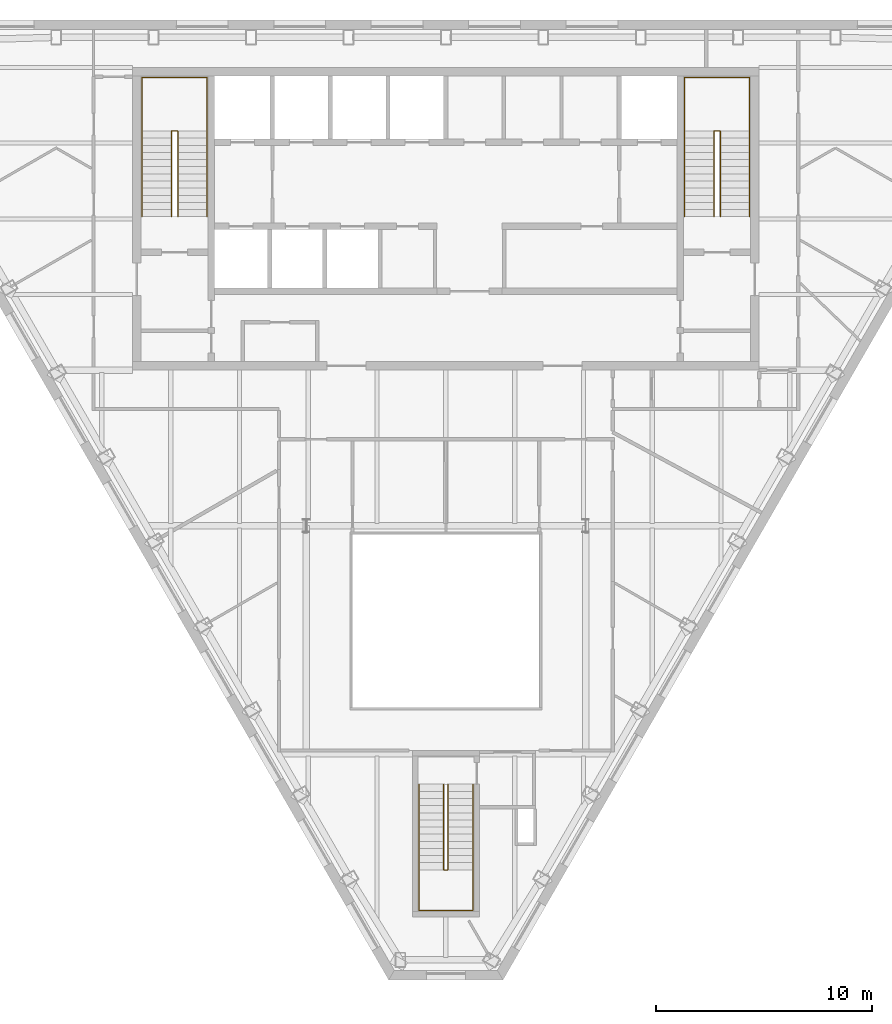
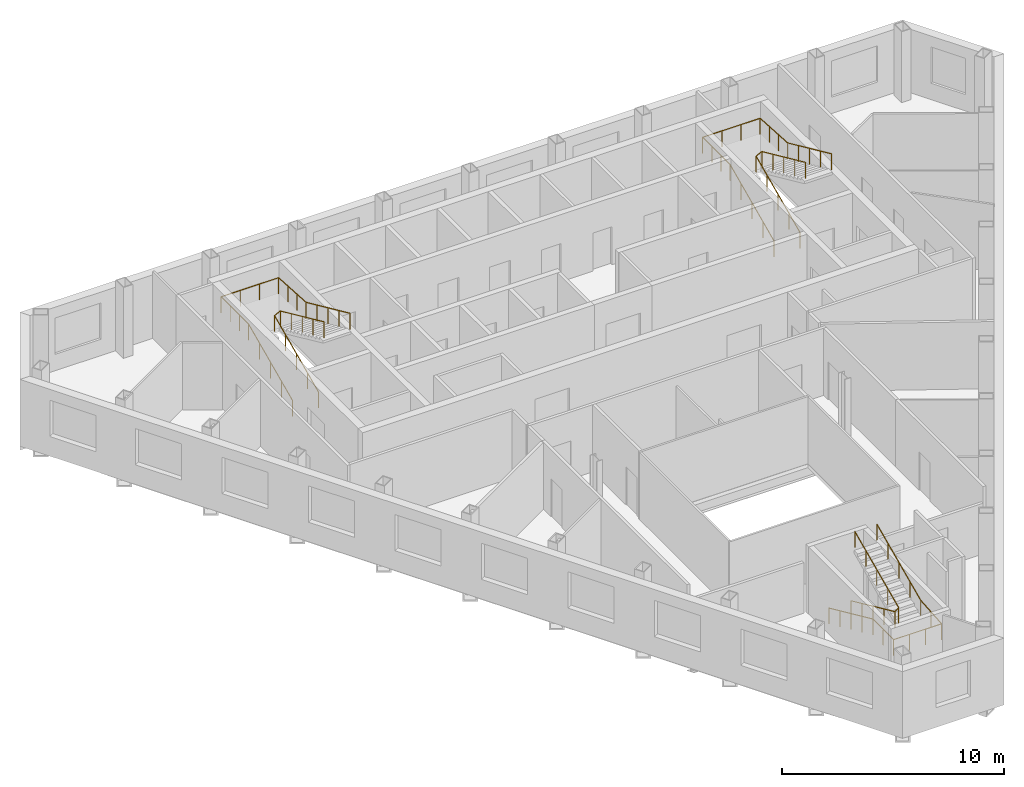
# One storey, part 10 of 10: 6 railings.
"""IFC4 building model written with IfcOpenShell, lengths in metres."""

from ifc_helpers import new_model, si_unit, direction, frame, origin, origin_2d, place, context, subcontext, project, spatial, circle, extrude, material, type_object, element, save


model = new_model("IFC4")

# Units and contexts
model_context = context("Model", 3, precision=1e-05, world=origin(), true_north=direction((0.0, 1.0)))
body_context = subcontext(model_context, "Body", "Model", "MODEL_VIEW")
ifc_project = project(units=[si_unit("LENGTHUNIT", "METRE"), si_unit("AREAUNIT", "SQUARE_METRE"), si_unit("VOLUMEUNIT", "CUBIC_METRE"), si_unit("PLANEANGLEUNIT", "RADIAN"), si_unit("MASSUNIT", "GRAM", prefix="KILO")], contexts=[model_context])

# Site, building, storey
site_placement = place(None, origin())
site = spatial("IfcSite", under=ifc_project, at=site_placement, CompositionType="ELEMENT")
building_placement = place(site_placement, origin())
building = spatial("IfcBuilding", under=site, at=building_placement, Name="Njiva Tower", CompositionType="ELEMENT")
storey_placement = place(building_placement, frame((0.0, 0.0, 280.5)))
storey = spatial("IfcBuildingStorey", under=building, at=storey_placement, Name="L64", CompositionType="ELEMENT", Elevation=280.5)

# Railings
ifc_material = material(Name="Stainless steel", Category="steel")
railing_type = type_object("IfcRailingType", Name="RL1 Stair handrail 900", PredefinedType="HANDRAIL", material=ifc_material)
railing_1_placement = place(storey_placement, frame((-14.05, 11.1, 0.15)))
element("IfcRailing", 1, at=railing_1_placement, inside=storey, type_object=railing_type, Name="Stair A handrail", PredefinedType="HANDRAIL", context=body_context, shape_type="SweptSolid", body=[
    extrude(circle(Radius=0.024, at=origin_2d()), frame((0.0, 0.0, 0.876), z_axis=(0.0, 0.910366477463, 0.413802944301), x_axis=(-1.0, 0.0, 0.0)), (0.0, 0.0, 1.0), 4.3499),
    extrude(circle(Radius=0.024, at=origin_2d()), frame((0.0, 3.96, 2.676), z_axis=(0.0, 1.0, 0.0), x_axis=(-1.0, 0.0, 0.0)), (0.0, 0.0, 1.0), 2.49),
    extrude(circle(Radius=0.024, at=origin_2d()), frame((0.0, 6.45, 2.676), z_axis=(1.0, 0.0, 0.0), x_axis=(0.0, 1.0, 0.0)), (0.0, 0.0, 1.0), 3.0),
    extrude(circle(Radius=0.024, at=origin_2d()), frame((3.0, 6.45, 2.676), z_axis=(0.0, -0.998190436793, 0.060131954024), x_axis=(1.0, 0.0, 0.0)), (0.0, 0.0, 1.0), 2.4945),
    extrude(circle(Radius=0.024, at=origin_2d()), frame((3.0, 3.96, 2.826), z_axis=(0.0, -0.910366477463, 0.413802944301), x_axis=(1.0, 0.0, 0.0)), (0.0, 0.0, 1.0), 4.3499),
    extrude(circle(Radius=0.021, at=origin_2d()), origin(), (0.0, 0.0, 1.0), 0.852),
    extrude(circle(Radius=0.021, at=origin_2d()), frame((0.0, 0.99, 0.45)), (0.0, 0.0, 1.0), 0.852),
    extrude(circle(Radius=0.021, at=origin_2d()), frame((0.0, 1.98, 0.9)), (0.0, 0.0, 1.0), 0.852),
    extrude(circle(Radius=0.021, at=origin_2d()), frame((0.0, 2.97, 1.35)), (0.0, 0.0, 1.0), 0.852),
    extrude(circle(Radius=0.021, at=origin_2d()), frame((0.0, 3.96, 1.8)), (0.0, 0.0, 1.0), 0.852),
    extrude(circle(Radius=0.021, at=origin_2d()), frame((0.0, 4.79, 1.8)), (0.0, 0.0, 1.0), 0.852),
    extrude(circle(Radius=0.021, at=origin_2d()), frame((0.0, 5.62, 1.8)), (0.0, 0.0, 1.0), 0.852),
    extrude(circle(Radius=0.021, at=origin_2d()), frame((0.0, 6.45, 1.8)), (0.0, 0.0, 1.0), 0.852),
    extrude(circle(Radius=0.021, at=origin_2d()), frame((1.0, 6.45, 1.8)), (0.0, 0.0, 1.0), 0.852),
    extrude(circle(Radius=0.021, at=origin_2d()), frame((2.0, 6.45, 1.8)), (0.0, 0.0, 1.0), 0.852),
    extrude(circle(Radius=0.021, at=origin_2d()), frame((3.0, 6.45, 1.8)), (0.0, 0.0, 1.0), 0.852),
    extrude(circle(Radius=0.021, at=origin_2d()), frame((3.0, 5.62, 1.85)), (0.0, 0.0, 1.0), 0.852),
    extrude(circle(Radius=0.021, at=origin_2d()), frame((3.0, 4.79, 1.9)), (0.0, 0.0, 1.0), 0.852),
    extrude(circle(Radius=0.021, at=origin_2d()), frame((3.0, 3.96, 1.95)), (0.0, 0.0, 1.0), 0.852),
    extrude(circle(Radius=0.021, at=origin_2d()), frame((3.0, 2.97, 2.4)), (0.0, 0.0, 1.0), 0.852),
    extrude(circle(Radius=0.021, at=origin_2d()), frame((3.0, 1.98, 2.85)), (0.0, 0.0, 1.0), 0.852),
    extrude(circle(Radius=0.021, at=origin_2d()), frame((3.0, 0.99, 3.3)), (0.0, 0.0, 1.0), 0.852),
    extrude(circle(Radius=0.021, at=origin_2d()), frame((3.0, 0.0, 3.75)), (0.0, 0.0, 1.0), 0.852),
])
railing_2_placement = place(storey_placement, frame((-12.7, 11.1, 0.15)))
element("IfcRailing", 2, at=railing_2_placement, inside=storey, type_object=railing_type, Name="Stair A handrail", PredefinedType="HANDRAIL", context=body_context, shape_type="SweptSolid", body=[
    extrude(circle(Radius=0.024, at=origin_2d()), frame((0.0, 0.0, 0.876), z_axis=(0.0, 0.910366477463, 0.413802944301), x_axis=(-1.0, 0.0, 0.0)), (0.0, 0.0, 1.0), 4.3499),
    extrude(circle(Radius=0.024, at=origin_2d()), frame((0.0, 3.96, 2.676), z_axis=(0.894427191, 0.0, 0.4472135955), x_axis=(0.0, 1.0, 0.0)), (0.0, 0.0, 1.0), 0.3354),
    extrude(circle(Radius=0.024, at=origin_2d()), frame((0.3, 3.96, 2.826), z_axis=(0.0, -0.910366477463, 0.413802944301), x_axis=(1.0, 0.0, 0.0)), (0.0, 0.0, 1.0), 4.3499),
    extrude(circle(Radius=0.021, at=origin_2d()), origin(), (0.0, 0.0, 1.0), 0.852),
    extrude(circle(Radius=0.021, at=origin_2d()), frame((0.0, 0.99, 0.45)), (0.0, 0.0, 1.0), 0.852),
    extrude(circle(Radius=0.021, at=origin_2d()), frame((0.0, 1.98, 0.9)), (0.0, 0.0, 1.0), 0.852),
    extrude(circle(Radius=0.021, at=origin_2d()), frame((0.0, 2.97, 1.35)), (0.0, 0.0, 1.0), 0.852),
    extrude(circle(Radius=0.021, at=origin_2d()), frame((0.0, 3.96, 1.8)), (0.0, 0.0, 1.0), 0.852),
    extrude(circle(Radius=0.021, at=origin_2d()), frame((0.3, 3.96, 1.95)), (0.0, 0.0, 1.0), 0.852),
    extrude(circle(Radius=0.021, at=origin_2d()), frame((0.3, 2.97, 2.4)), (0.0, 0.0, 1.0), 0.852),
    extrude(circle(Radius=0.021, at=origin_2d()), frame((0.3, 1.98, 2.85)), (0.0, 0.0, 1.0), 0.852),
    extrude(circle(Radius=0.021, at=origin_2d()), frame((0.3, 0.99, 3.3)), (0.0, 0.0, 1.0), 0.852),
    extrude(circle(Radius=0.021, at=origin_2d()), frame((0.3, 0.0, 3.75)), (0.0, 0.0, 1.0), 0.852),
])
railing_3_placement = place(storey_placement, frame((11.05, 11.1, 0.15)))
element("IfcRailing", 3, at=railing_3_placement, inside=storey, type_object=railing_type, Name="Stair B handrail", PredefinedType="HANDRAIL", context=body_context, shape_type="SweptSolid", body=[
    extrude(circle(Radius=0.024, at=origin_2d()), frame((0.0, 0.0, 0.876), z_axis=(0.0, 0.910366477463, 0.413802944301), x_axis=(-1.0, 0.0, 0.0)), (0.0, 0.0, 1.0), 4.3499),
    extrude(circle(Radius=0.024, at=origin_2d()), frame((0.0, 3.96, 2.676), z_axis=(0.0, 1.0, 0.0), x_axis=(-1.0, 0.0, 0.0)), (0.0, 0.0, 1.0), 2.49),
    extrude(circle(Radius=0.024, at=origin_2d()), frame((0.0, 6.45, 2.676), z_axis=(1.0, 0.0, 0.0), x_axis=(0.0, 1.0, 0.0)), (0.0, 0.0, 1.0), 3.0),
    extrude(circle(Radius=0.024, at=origin_2d()), frame((3.0, 6.45, 2.676), z_axis=(0.0, -0.998190436793, 0.060131954024), x_axis=(1.0, 0.0, 0.0)), (0.0, 0.0, 1.0), 2.4945),
    extrude(circle(Radius=0.024, at=origin_2d()), frame((3.0, 3.96, 2.826), z_axis=(0.0, -0.910366477463, 0.413802944301), x_axis=(1.0, 0.0, 0.0)), (0.0, 0.0, 1.0), 4.3499),
    extrude(circle(Radius=0.021, at=origin_2d()), origin(), (0.0, 0.0, 1.0), 0.852),
    extrude(circle(Radius=0.021, at=origin_2d()), frame((0.0, 0.99, 0.45)), (0.0, 0.0, 1.0), 0.852),
    extrude(circle(Radius=0.021, at=origin_2d()), frame((0.0, 1.98, 0.9)), (0.0, 0.0, 1.0), 0.852),
    extrude(circle(Radius=0.021, at=origin_2d()), frame((0.0, 2.97, 1.35)), (0.0, 0.0, 1.0), 0.852),
    extrude(circle(Radius=0.021, at=origin_2d()), frame((0.0, 3.96, 1.8)), (0.0, 0.0, 1.0), 0.852),
    extrude(circle(Radius=0.021, at=origin_2d()), frame((0.0, 4.79, 1.8)), (0.0, 0.0, 1.0), 0.852),
    extrude(circle(Radius=0.021, at=origin_2d()), frame((0.0, 5.62, 1.8)), (0.0, 0.0, 1.0), 0.852),
    extrude(circle(Radius=0.021, at=origin_2d()), frame((0.0, 6.45, 1.8)), (0.0, 0.0, 1.0), 0.852),
    extrude(circle(Radius=0.021, at=origin_2d()), frame((1.0, 6.45, 1.8)), (0.0, 0.0, 1.0), 0.852),
    extrude(circle(Radius=0.021, at=origin_2d()), frame((2.0, 6.45, 1.8)), (0.0, 0.0, 1.0), 0.852),
    extrude(circle(Radius=0.021, at=origin_2d()), frame((3.0, 6.45, 1.8)), (0.0, 0.0, 1.0), 0.852),
    extrude(circle(Radius=0.021, at=origin_2d()), frame((3.0, 5.62, 1.85)), (0.0, 0.0, 1.0), 0.852),
    extrude(circle(Radius=0.021, at=origin_2d()), frame((3.0, 4.79, 1.9)), (0.0, 0.0, 1.0), 0.852),
    extrude(circle(Radius=0.021, at=origin_2d()), frame((3.0, 3.96, 1.95)), (0.0, 0.0, 1.0), 0.852),
    extrude(circle(Radius=0.021, at=origin_2d()), frame((3.0, 2.97, 2.4)), (0.0, 0.0, 1.0), 0.852),
    extrude(circle(Radius=0.021, at=origin_2d()), frame((3.0, 1.98, 2.85)), (0.0, 0.0, 1.0), 0.852),
    extrude(circle(Radius=0.021, at=origin_2d()), frame((3.0, 0.99, 3.3)), (0.0, 0.0, 1.0), 0.852),
    extrude(circle(Radius=0.021, at=origin_2d()), frame((3.0, 0.0, 3.75)), (0.0, 0.0, 1.0), 0.852),
])
railing_4_placement = place(storey_placement, frame((12.4, 11.1, 0.15)))
element("IfcRailing", 4, at=railing_4_placement, inside=storey, type_object=railing_type, Name="Stair B handrail", PredefinedType="HANDRAIL", context=body_context, shape_type="SweptSolid", body=[
    extrude(circle(Radius=0.024, at=origin_2d()), frame((0.0, 0.0, 0.876), z_axis=(0.0, 0.910366477463, 0.413802944301), x_axis=(-1.0, 0.0, 0.0)), (0.0, 0.0, 1.0), 4.3499),
    extrude(circle(Radius=0.024, at=origin_2d()), frame((0.0, 3.96, 2.676), z_axis=(0.894427191, 0.0, 0.4472135955), x_axis=(0.0, 1.0, 0.0)), (0.0, 0.0, 1.0), 0.3354),
    extrude(circle(Radius=0.024, at=origin_2d()), frame((0.3, 3.96, 2.826), z_axis=(0.0, -0.910366477463, 0.413802944301), x_axis=(1.0, 0.0, 0.0)), (0.0, 0.0, 1.0), 4.3499),
    extrude(circle(Radius=0.021, at=origin_2d()), origin(), (0.0, 0.0, 1.0), 0.852),
    extrude(circle(Radius=0.021, at=origin_2d()), frame((0.0, 0.99, 0.45)), (0.0, 0.0, 1.0), 0.852),
    extrude(circle(Radius=0.021, at=origin_2d()), frame((0.0, 1.98, 0.9)), (0.0, 0.0, 1.0), 0.852),
    extrude(circle(Radius=0.021, at=origin_2d()), frame((0.0, 2.97, 1.35)), (0.0, 0.0, 1.0), 0.852),
    extrude(circle(Radius=0.021, at=origin_2d()), frame((0.0, 3.96, 1.8)), (0.0, 0.0, 1.0), 0.852),
    extrude(circle(Radius=0.021, at=origin_2d()), frame((0.3, 3.96, 1.95)), (0.0, 0.0, 1.0), 0.852),
    extrude(circle(Radius=0.021, at=origin_2d()), frame((0.3, 2.97, 2.4)), (0.0, 0.0, 1.0), 0.852),
    extrude(circle(Radius=0.021, at=origin_2d()), frame((0.3, 1.98, 2.85)), (0.0, 0.0, 1.0), 0.852),
    extrude(circle(Radius=0.021, at=origin_2d()), frame((0.3, 0.99, 3.3)), (0.0, 0.0, 1.0), 0.852),
    extrude(circle(Radius=0.021, at=origin_2d()), frame((0.3, 0.0, 3.75)), (0.0, 0.0, 1.0), 0.852),
])
railing_5_placement = place(storey_placement, frame((-1.25, -15.16, 0.15)))
element("IfcRailing", 5, at=railing_5_placement, inside=storey, type_object=railing_type, Name="Stair C handrail", PredefinedType="HANDRAIL", context=body_context, shape_type="SweptSolid", body=[
    extrude(circle(Radius=0.024, at=origin_2d()), frame((0.0, 0.0, 0.876), z_axis=(0.0, -0.910366477463, 0.413802944301), x_axis=(1.0, 0.0, 0.0)), (0.0, 0.0, 1.0), 4.3499),
    extrude(circle(Radius=0.024, at=origin_2d()), frame((0.0, -3.96, 2.676), z_axis=(0.0, -1.0, 0.0), x_axis=(1.0, 0.0, 0.0)), (0.0, 0.0, 1.0), 1.88),
    extrude(circle(Radius=0.024, at=origin_2d()), frame((0.0, -5.84, 2.676), z_axis=(1.0, 0.0, 0.0), x_axis=(0.0, 1.0, 0.0)), (0.0, 0.0, 1.0), 2.5),
    extrude(circle(Radius=0.024, at=origin_2d()), frame((2.5, -5.84, 2.676), z_axis=(0.0, 0.996832115713, 0.079534477318), x_axis=(-1.0, 0.0, 0.0)), (0.0, 0.0, 1.0), 1.886),
    extrude(circle(Radius=0.024, at=origin_2d()), frame((2.5, -3.96, 2.826), z_axis=(0.0, 0.910366477463, 0.413802944301), x_axis=(-1.0, 0.0, 0.0)), (0.0, 0.0, 1.0), 4.3499),
    extrude(circle(Radius=0.021, at=origin_2d()), origin(), (0.0, 0.0, 1.0), 0.852),
    extrude(circle(Radius=0.021, at=origin_2d()), frame((0.0, -0.99, 0.45)), (0.0, 0.0, 1.0), 0.852),
    extrude(circle(Radius=0.021, at=origin_2d()), frame((0.0, -1.98, 0.9)), (0.0, 0.0, 1.0), 0.852),
    extrude(circle(Radius=0.021, at=origin_2d()), frame((0.0, -2.97, 1.35)), (0.0, 0.0, 1.0), 0.852),
    extrude(circle(Radius=0.021, at=origin_2d()), frame((0.0, -3.96, 1.8)), (0.0, 0.0, 1.0), 0.852),
    extrude(circle(Radius=0.021, at=origin_2d()), frame((0.0, -4.9, 1.8)), (0.0, 0.0, 1.0), 0.852),
    extrude(circle(Radius=0.021, at=origin_2d()), frame((0.0, -5.84, 1.8)), (0.0, 0.0, 1.0), 0.852),
    extrude(circle(Radius=0.021, at=origin_2d()), frame((0.8333, -5.84, 1.8)), (0.0, 0.0, 1.0), 0.852),
    extrude(circle(Radius=0.021, at=origin_2d()), frame((1.6667, -5.84, 1.8)), (0.0, 0.0, 1.0), 0.852),
    extrude(circle(Radius=0.021, at=origin_2d()), frame((2.5, -5.84, 1.8)), (0.0, 0.0, 1.0), 0.852),
    extrude(circle(Radius=0.021, at=origin_2d()), frame((2.5, -4.9, 1.875)), (0.0, 0.0, 1.0), 0.852),
    extrude(circle(Radius=0.021, at=origin_2d()), frame((2.5, -3.96, 1.95)), (0.0, 0.0, 1.0), 0.852),
    extrude(circle(Radius=0.021, at=origin_2d()), frame((2.5, -2.97, 2.4)), (0.0, 0.0, 1.0), 0.852),
    extrude(circle(Radius=0.021, at=origin_2d()), frame((2.5, -1.98, 2.85)), (0.0, 0.0, 1.0), 0.852),
    extrude(circle(Radius=0.021, at=origin_2d()), frame((2.5, -0.99, 3.3)), (0.0, 0.0, 1.0), 0.852),
    extrude(circle(Radius=0.021, at=origin_2d()), frame((2.5, 0.0, 3.75)), (0.0, 0.0, 1.0), 0.852),
])
railing_6_placement = place(storey_placement, frame((-0.1, -15.16, 0.15)))
element("IfcRailing", 6, at=railing_6_placement, inside=storey, type_object=railing_type, Name="Stair C handrail", PredefinedType="HANDRAIL", context=body_context, shape_type="SweptSolid", body=[
    extrude(circle(Radius=0.024, at=origin_2d()), frame((0.0, 0.0, 0.876), z_axis=(0.0, -0.910366477463, 0.413802944301), x_axis=(1.0, 0.0, 0.0)), (0.0, 0.0, 1.0), 4.3499),
    extrude(circle(Radius=0.024, at=origin_2d()), frame((0.0, -3.96, 2.676), z_axis=(0.8, 0.0, 0.6), x_axis=(0.0, 1.0, 0.0)), (0.0, 0.0, 1.0), 0.25),
    extrude(circle(Radius=0.024, at=origin_2d()), frame((0.2, -3.96, 2.826), z_axis=(0.0, 0.910366477463, 0.413802944301), x_axis=(-1.0, 0.0, 0.0)), (0.0, 0.0, 1.0), 4.3499),
    extrude(circle(Radius=0.021, at=origin_2d()), origin(), (0.0, 0.0, 1.0), 0.852),
    extrude(circle(Radius=0.021, at=origin_2d()), frame((0.0, -0.99, 0.45)), (0.0, 0.0, 1.0), 0.852),
    extrude(circle(Radius=0.021, at=origin_2d()), frame((0.0, -1.98, 0.9)), (0.0, 0.0, 1.0), 0.852),
    extrude(circle(Radius=0.021, at=origin_2d()), frame((0.0, -2.97, 1.35)), (0.0, 0.0, 1.0), 0.852),
    extrude(circle(Radius=0.021, at=origin_2d()), frame((0.0, -3.96, 1.8)), (0.0, 0.0, 1.0), 0.852),
    extrude(circle(Radius=0.021, at=origin_2d()), frame((0.2, -3.96, 1.95)), (0.0, 0.0, 1.0), 0.852),
    extrude(circle(Radius=0.021, at=origin_2d()), frame((0.2, -2.97, 2.4)), (0.0, 0.0, 1.0), 0.852),
    extrude(circle(Radius=0.021, at=origin_2d()), frame((0.2, -1.98, 2.85)), (0.0, 0.0, 1.0), 0.852),
    extrude(circle(Radius=0.021, at=origin_2d()), frame((0.2, -0.99, 3.3)), (0.0, 0.0, 1.0), 0.852),
    extrude(circle(Radius=0.021, at=origin_2d()), frame((0.2, 0.0, 3.75)), (0.0, 0.0, 1.0), 0.852),
])

save(model, "model.ifc")
